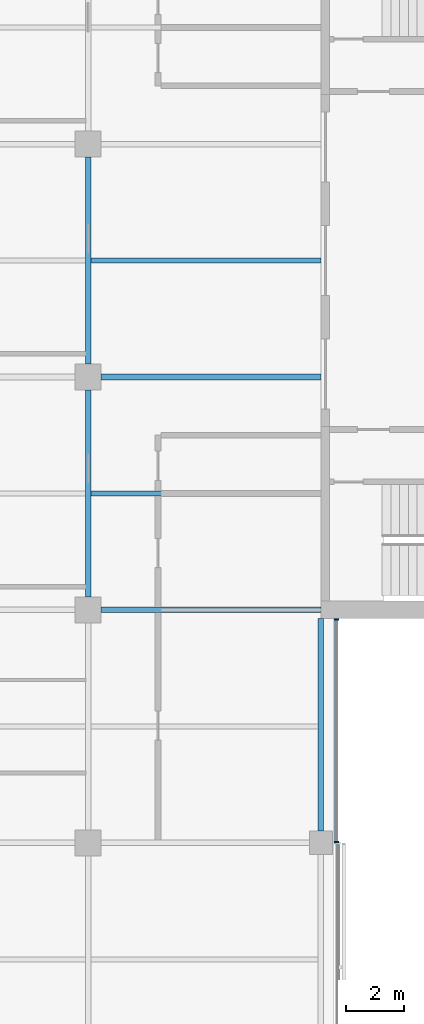
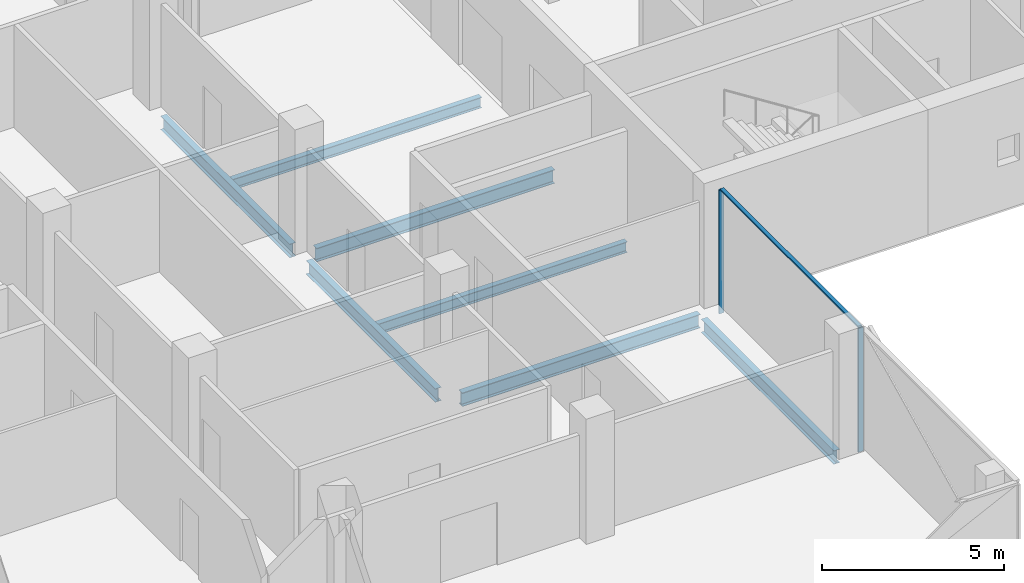
# One storey, part 4 of 16: 7 beams, 3 members, 1 element without a shape of its own.
"""IFC4 building model written with IfcOpenShell, lengths in metres."""

from ifc_helpers import new_model, si_unit, direction, frame, origin, origin_2d, place, context, subcontext, project, spatial, rectangle, i_section, extrude, material, material_profile, profile_set, type_object, element, aggregate, save


model = new_model("IFC4")

# Units and contexts
model_context = context("Model", 3, precision=1e-05, world=origin(), true_north=direction((0.0, 1.0)))
body_context = subcontext(model_context, "Body", "Model", "MODEL_VIEW")
ifc_project = project(units=[si_unit("LENGTHUNIT", "METRE"), si_unit("AREAUNIT", "SQUARE_METRE"), si_unit("VOLUMEUNIT", "CUBIC_METRE"), si_unit("PLANEANGLEUNIT", "RADIAN"), si_unit("MASSUNIT", "GRAM", prefix="KILO")], contexts=[model_context])

# Site, building, storey
site_placement = place(None, origin())
site = spatial("IfcSite", under=ifc_project, at=site_placement, CompositionType="ELEMENT")
building_placement = place(site_placement, origin())
building = spatial("IfcBuilding", under=site, at=building_placement, Name="Crosswind Convention Tower", CompositionType="ELEMENT")
storey_placement = place(building_placement, frame((0.0, 0.0, 212.5)))
storey = spatial("IfcBuildingStorey", under=building, at=storey_placement, Name="L45", CompositionType="ELEMENT", Elevation=212.5)

# Beams
ifc_material_1 = material(Name="Steel S355", Category="steel")
ifc_material_profile_1 = material_profile(ifc_material_1, i_section(OverallWidth=0.18994140625, OverallDepth=0.45361328125, WebThickness=0.008544921875, FlangeThickness=0.0126953125, FilletRadius=0.01025390625, at=origin_2d()), Name="UB 457x191x67")
ifc_profile_set_1 = profile_set([ifc_material_profile_1], Name="Steel S355")
beam_type_1 = type_object("IfcBeamType", Name="Edge beam UB 457x191x67", PredefinedType="SPANDREL", material=ifc_profile_set_1)
beam_placement = place(storey_placement, frame((137.0, 80.39990234375, -0.52685546875), z_axis=(0.0, 1.0, 0.0), x_axis=(-1.0, 0.0, 0.0)))
element("IfcBeam", 1, at=beam_placement, inside=storey, type_object=beam_type_1, Name="B16 L45 edge beam 12", PredefinedType="SPANDREL", context=body_context, shape_type="SweptSolid", body=[
    extrude(i_section(OverallWidth=0.18994140625, OverallDepth=0.45361328125, WebThickness=0.008544921875, FlangeThickness=0.0126953125, FilletRadius=0.01025390625, at=origin_2d()), origin(), (0.0, 0.0, 1.0), 7.300048828125),
])
ifc_material_profile_2 = material_profile(ifc_material_1, i_section(OverallWidth=0.1904296875, OverallDepth=0.457275390625, WebThickness=0.009033203125, FlangeThickness=0.014404296875, FilletRadius=0.01025390625, at=origin_2d()), Name="UB 457x191x75")
ifc_profile_set_2 = profile_set([ifc_material_profile_2], Name="Steel S355")
beam_type_2 = type_object("IfcBeamType", Name="Girder UB 457x191x75", PredefinedType="BEAM", material=ifc_profile_set_2)
for number, where, z_axis, x_axis, name in (
    (2, (129.0, 88.449951171875, -0.528564453125), (0.0, 1.0, 0.0), (-1.0, 0.0, 0.0), "B2 L45 girder 18"),
    (3, (129.0, 96.449951171875, -0.528564453125), (0.0, 1.0, 0.0), (-1.0, 0.0, 0.0), "B2 L45 girder 19"),
):
    element("IfcBeam", number, at=place(storey_placement, frame(where, z_axis=z_axis, x_axis=x_axis)), inside=storey, type_object=beam_type_2, Name=name, PredefinedType="BEAM", context=body_context, shape_type="SweptSolid", body=[
        extrude(i_section(OverallWidth=0.1904296875, OverallDepth=0.457275390625, WebThickness=0.009033203125, FlangeThickness=0.014404296875, FilletRadius=0.01025390625, at=origin_2d()), origin(), (0.0, 0.0, 1.0), 7.10009765625),
    ])
ifc_material_profile_3 = material_profile(ifc_material_1, i_section(OverallWidth=0.19140625, OverallDepth=0.460205078125, WebThickness=0.010009765625, FlangeThickness=0.01611328125, FilletRadius=0.01025390625, at=origin_2d()), Name="UB 457x191x82")
ifc_profile_set_3 = profile_set([ifc_material_profile_3], Name="Steel S355")
beam_type_3 = type_object("IfcBeamType", Name="Girder at core wall UB 457x191x82", PredefinedType="BEAM", material=ifc_profile_set_3)
for number, where, z_axis, x_axis, name in (
    (4, (129.449951171875, 88.0, -0.530029296875), (1.0, 0.0, 0.0), (0.0, 1.0, 0.0), "B23 L45 girder at core wall 5"),
    (5, (129.449951171875, 96.0, -0.530029296875), (1.0, 0.0, 0.0), (0.0, 1.0, 0.0), "B23 L45 girder at core wall 6"),
):
    element("IfcBeam", number, at=place(storey_placement, frame(where, z_axis=z_axis, x_axis=x_axis)), inside=storey, type_object=beam_type_3, Name=name, PredefinedType="BEAM", context=body_context, shape_type="SweptSolid", body=[
        extrude(i_section(OverallWidth=0.19140625, OverallDepth=0.460205078125, WebThickness=0.010009765625, FlangeThickness=0.01611328125, FilletRadius=0.01025390625, at=origin_2d()), origin(), (0.0, 0.0, 1.0), 7.550048828125),
    ])

# Curtain wall, members
ifc_material_2 = material(Name="Aluminium unitised curtain wall", Category="aluminium")
curtain_wall_type = type_object("IfcCurtainWallType", Name="CORE END SLOT WALL 160", PredefinedType="USERDEFINED", material=ifc_material_2)
curtain_wall_placement = place(storey_placement, origin())
curtain_wall = element("IfcCurtainWall", 6, at=curtain_wall_placement, inside=storey, type_object=curtain_wall_type, Name="CW6 L45 S-E.1-2 slot", ObjectType="UNITISED", PredefinedType="USERDEFINED")
ifc_material_3 = material(Name="Aluminium mullion", Category="aluminium")
ifc_material_profile_4 = material_profile(ifc_material_3, rectangle(XDim=0.159912109375, YDim=0.050048828125, at=origin_2d()), Name="AL 160X50")
ifc_profile_set_4 = profile_set([ifc_material_profile_4], Name="Aluminium mullion")
member_type_1 = type_object("IfcMemberType", Name="MULLION 50X160", PredefinedType="MULLION", material=ifc_profile_set_4)
member_1_placement = place(storey_placement, frame((137.530029296875, 80.02490234375, -0.300048828125), z_axis=(0.0, 0.0, 1.0), x_axis=(1.0, 0.0, 0.0)))
member_1 = element("IfcMember", 7, at=member_1_placement, type_object=member_type_1, Name="CW6 mullion 1", PredefinedType="MULLION", context=body_context, shape_type="SweptSolid", body=[
    extrude(rectangle(XDim=0.159912109375, YDim=0.050048828125, at=origin_2d()), origin(), (0.0, 0.0, 1.0), 4.150146484375),
])
member_2_placement = place(storey_placement, frame((137.530029296875, 87.675048828125, -0.300048828125), z_axis=(0.0, 0.0, 1.0), x_axis=(1.0, 0.0, 0.0)))
member_2 = element("IfcMember", 8, at=member_2_placement, type_object=member_type_1, Name="CW6 mullion 2", PredefinedType="MULLION", context=body_context, shape_type="SweptSolid", body=[
    extrude(rectangle(XDim=0.159912109375, YDim=0.050048828125, at=origin_2d()), origin(), (0.0, 0.0, 1.0), 4.150146484375),
])

# Beams
ifc_material_profile_5 = material_profile(ifc_material_1, i_section(OverallWidth=0.172119140625, OverallDepth=0.358642578125, WebThickness=0.008056640625, FlangeThickness=0.012939453125, FilletRadius=0.01025390625, at=origin_2d()), Name="UB 356x171x57")
ifc_profile_set_5 = profile_set([ifc_material_profile_5], Name="Steel S355")
beam_type_4 = type_object("IfcBeamType", Name="Secondary beam UB 356x171x57", PredefinedType="JOIST", material=ifc_profile_set_5)
for number, where, z_axis, x_axis, name in (
    (9, (129.09521484375, 92.0, -0.479248046875), (1.0, 0.0, 0.0), (0.0, 1.0, 0.0), "B9 L45 secondary beam 17"),
    (10, (129.09521484375, 100.0, -0.479248046875), (1.0, 0.0, 0.0), (0.0, 1.0, 0.0), "B9 L45 secondary beam 18"),
):
    element("IfcBeam", number, at=place(storey_placement, frame(where, z_axis=z_axis, x_axis=x_axis)), inside=storey, type_object=beam_type_4, Name=name, PredefinedType="JOIST", context=body_context, shape_type="SweptSolid", body=[
        extrude(i_section(OverallWidth=0.172119140625, OverallDepth=0.358642578125, WebThickness=0.008056640625, FlangeThickness=0.012939453125, FilletRadius=0.01025390625, at=origin_2d()), origin(), (0.0, 0.0, 1.0), 7.90478515625),
    ])

# Member
ifc_material_4 = material(Name="Aluminium transom", Category="aluminium")
ifc_material_profile_6 = material_profile(ifc_material_4, rectangle(XDim=0.1201171875, YDim=0.050048828125, at=origin_2d()), Name="AL 120X50")
ifc_profile_set_6 = profile_set([ifc_material_profile_6], Name="Aluminium transom")
member_type_2 = type_object("IfcMemberType", Name="TRANSOM 50X120", PredefinedType="USERDEFINED", material=ifc_profile_set_6)
member_3_placement = place(storey_placement, frame((137.530029296875, 80.050048828125, 3.875), z_axis=(0.0, 1.0, 0.0), x_axis=(-1.0, 0.0, 0.0)))
member_3 = element("IfcMember", 11, at=member_3_placement, type_object=member_type_2, Name="CW6 transom", ObjectType="TRANSOM", PredefinedType="USERDEFINED", context=body_context, shape_type="SweptSolid", body=[
    extrude(rectangle(XDim=0.1201171875, YDim=0.050048828125, at=origin_2d()), origin(), (0.0, 0.0, 1.0), 7.599853515625),
])

aggregate(curtain_wall, [member_1, member_2, member_3])

save(model, "model.ifc")
